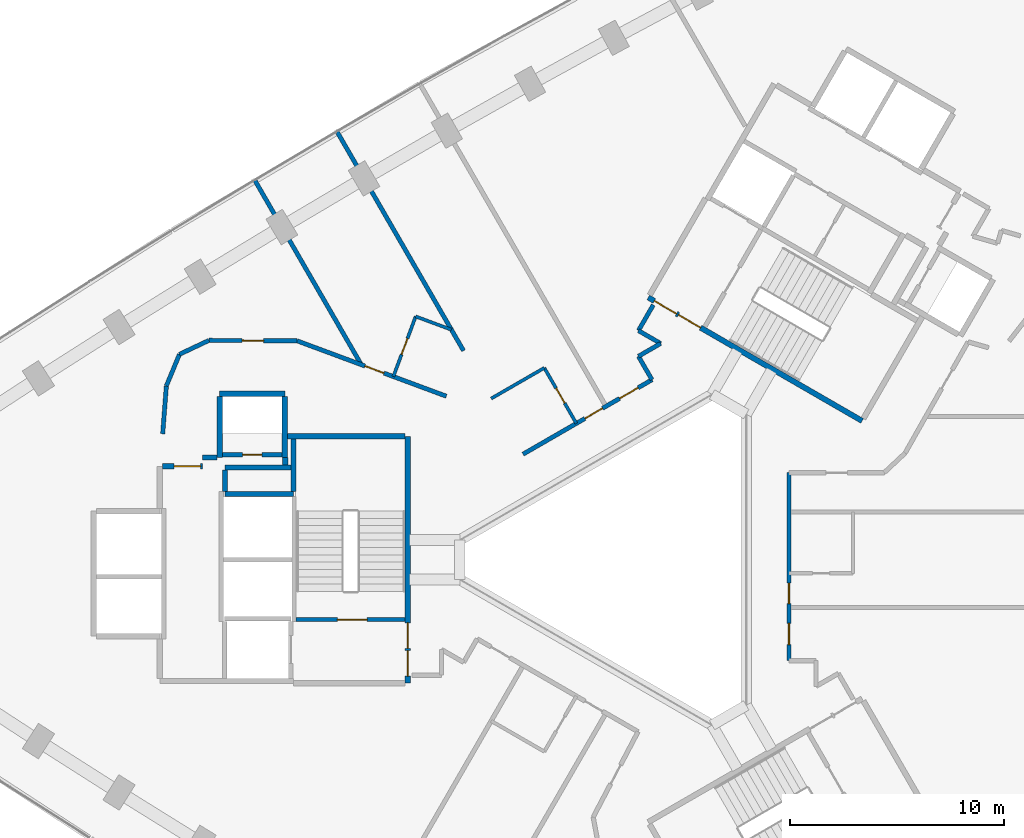
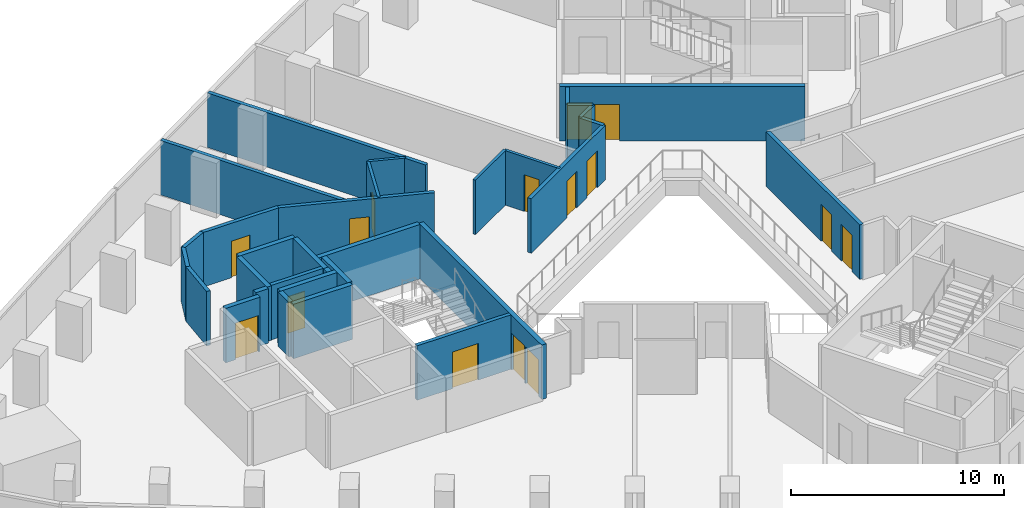
# One storey, part 10 of 13: 32 walls, 15 doors, 15 openings.
"""IFC4 building model written with IfcOpenShell, lengths in metres."""

from ifc_helpers import new_model, si_unit, direction, frame, frame_2d, origin, place, context, subcontext, project, spatial, rectangle, extrude, material, layer, layer_set, type_object, element, fill, save


model = new_model("IFC4")

# Units and contexts
model_context = context("Model", 3, precision=1e-05, world=origin(), true_north=direction((0.0, 1.0)))
body_context = subcontext(model_context, "Body", "Model", "MODEL_VIEW")
ifc_project = project(units=[si_unit("LENGTHUNIT", "METRE"), si_unit("AREAUNIT", "SQUARE_METRE"), si_unit("VOLUMEUNIT", "CUBIC_METRE"), si_unit("PLANEANGLEUNIT", "RADIAN"), si_unit("MASSUNIT", "GRAM", prefix="KILO")], contexts=[model_context])

# Site, building, storey
site_placement = place(None, origin())
site = spatial("IfcSite", under=ifc_project, at=site_placement, CompositionType="ELEMENT")
building_placement = place(site_placement, origin())
building = spatial("IfcBuilding", under=site, at=building_placement, Name="Tamra Quay Hotel Tower", CompositionType="ELEMENT")
storey_placement = place(building_placement, frame((0.0, 0.0, 60.199951171875)))
storey = spatial("IfcBuildingStorey", under=building, at=storey_placement, Name="L13", CompositionType="ELEMENT", Elevation=60.199951171875)

# Wall, opening, door
ifc_material_1 = material(Name="Concrete M70", Category="concrete")
ifc_layer_1 = layer(ifc_material_1, 0.199951171875)
ifc_layer_set_1 = layer_set([ifc_layer_1], Name="Concrete M70 core wall 200")
wall_type_1 = type_object("IfcWallType", Name="Concrete M70 core wall 200", PredefinedType="SHEAR", material=ifc_layer_set_1)
wall_1_placement = place(storey_placement, frame((-10.96337890625, -2.800048828125, 0.0), z_axis=(0.0, 0.0, 1.0), x_axis=(-1.0, 0.0, 0.0)))
wall_1 = element("IfcWall", 1, at=wall_1_placement, inside=storey, type_object=wall_type_1, Name="CW2", PredefinedType="SHEAR", context=body_context, shape_type="SweptSolid", body=[
    extrude(rectangle(XDim=5.097900390625, YDim=0.199951171875, at=frame_2d((2.548828125, 0.0))), origin(), (0.0, 0.0, 1.0), 3.125),
])
opening_1_placement = place(wall_1_placement, frame((1.77392578125, 0.0, 0.0)))
opening_1 = element("IfcOpeningElement", 2, at=opening_1_placement, cuts=wall_1, Name="Opening FD2", PredefinedType="OPENING", context=body_context, shape_type="SweptSolid", body=[
    extrude(rectangle(XDim=1.39990234375, YDim=2.10009765625, at=frame_2d((0.699951171875, 1.050048828125))), frame((0.0, 0.10986328125, 0.0), z_axis=(0.0, -1.0, 0.0), x_axis=(1.0, 0.0, 0.0)), (0.0, 0.0, 1.0), 0.219970703125),
])
ifc_material_2 = material(Name="Core door FD2 1400x2100 LH")
door_type_1 = type_object("IfcDoorType", Name="Core door FD2 1400x2100 LH", OperationType="NOTDEFINED", PredefinedType="DOOR", material=ifc_material_2)
door_1_placement = place(opening_1_placement, origin())
door_1 = element("IfcDoor", 3, at=door_1_placement, inside=storey, type_object=door_type_1, Name="FD2", OperationType="SINGLE_SWING_LEFT", OverallHeight=2.10009765625, OverallWidth=1.39990234375, PredefinedType="DOOR", context=body_context, shape_type="SweptSolid", body=[
    extrude(rectangle(XDim=1.39990234375, YDim=2.10009765625, at=frame_2d((0.699951171875, 1.050048828125))), frame((0.0, 0.02490234375, 0.0), z_axis=(0.0, -1.0, 0.0), x_axis=(1.0, 0.0, 0.0)), (0.0, 0.0, 1.0), 0.050048828125),
])
fill(opening_1, door_1)

wall_2_placement = place(storey_placement, frame((-19.51123046875, 4.91015625, 0.0), z_axis=(0.0, 0.0, 1.0), x_axis=(1.0, 0.0, 0.0)))
wall_2 = element("IfcWall", 4, at=wall_2_placement, inside=storey, type_object=wall_type_1, Name="CW2", PredefinedType="SHEAR", context=body_context, shape_type="SweptSolid", body=[
    extrude(rectangle(XDim=2.7978515625, YDim=0.199951171875, at=frame_2d((1.39892578125, 0.0))), origin(), (0.0, 0.0, 1.0), 3.125),
])
opening_2_placement = place(wall_2_placement, frame((0.948974609375, 0.0, 0.0)))
opening_2 = element("IfcOpeningElement", 5, at=opening_2_placement, cuts=wall_2, Name="Opening D1", PredefinedType="OPENING", context=body_context, shape_type="SweptSolid", body=[
    extrude(rectangle(XDim=0.89990234375, YDim=2.10009765625, at=frame_2d((0.449951171875, 1.050048828125))), frame((0.0, 0.10986328125, 0.0), z_axis=(0.0, -1.0, 0.0), x_axis=(1.0, 0.0, 0.0)), (0.0, 0.0, 1.0), 0.219970703125),
])
ifc_material_3 = material(Name="Core door D1 900x2100 RH")
door_type_2 = type_object("IfcDoorType", Name="Core door D1 900x2100 RH", OperationType="NOTDEFINED", PredefinedType="DOOR", material=ifc_material_3)
door_2_placement = place(opening_2_placement, origin())
door_2 = element("IfcDoor", 6, at=door_2_placement, inside=storey, type_object=door_type_2, Name="D1", OperationType="SINGLE_SWING_RIGHT", OverallHeight=2.10009765625, OverallWidth=0.89990234375, PredefinedType="DOOR", context=body_context, shape_type="SweptSolid", body=[
    extrude(rectangle(XDim=0.89990234375, YDim=2.10009765625, at=frame_2d((0.449951171875, 1.050048828125))), frame((0.0, 0.02490234375, 0.0), z_axis=(0.0, -1.0, 0.0), x_axis=(1.0, 0.0, 0.0)), (0.0, 0.0, 1.0), 0.050048828125),
])
fill(opening_2, door_2)

# Wall, openings, doors
ifc_layer_2 = layer(ifc_material_1, 0.25)
ifc_layer_set_2 = layer_set([ifc_layer_2], Name="Concrete M70 core wall 250")
wall_type_2 = type_object("IfcWallType", Name="Concrete M70 core wall 250", PredefinedType="SHEAR", material=ifc_layer_set_2)
wall_3_placement = place(storey_placement, frame((-10.83740234375, 5.77490234375, 0.0), z_axis=(0.0, 0.0, 1.0), x_axis=(0.0, -1.0, 0.0)))
wall_3 = element("IfcWall", 7, at=wall_3_placement, inside=storey, type_object=wall_type_2, Name="CW1", PredefinedType="SHEAR", context=body_context, shape_type="SweptSolid", body=[
    extrude(rectangle(XDim=11.5498046875, YDim=0.25, at=frame_2d((5.77490234375, 0.0))), origin(), (0.0, 0.0, 1.0), 3.125),
])
opening_3_placement = place(wall_3_placement, frame((10.02490234375, 0.0, 0.0)))
opening_3 = element("IfcOpeningElement", 8, at=opening_3_placement, cuts=wall_3, Name="Opening FD1", PredefinedType="OPENING", context=body_context, shape_type="SweptSolid", body=[
    extrude(rectangle(XDim=1.199951171875, YDim=2.10009765625, at=frame_2d((0.60009765625, 1.050048828125))), frame((0.0, 0.135009765625, 0.0), z_axis=(0.0, -1.0, 0.0), x_axis=(1.0, 0.0, 0.0)), (0.0, 0.0, 1.0), 0.27001953125),
])
opening_4_placement = place(wall_3_placement, frame((8.72509765625, 0.0, 0.0)))
opening_4 = element("IfcOpeningElement", 9, at=opening_4_placement, cuts=wall_3, Name="Opening FD1", PredefinedType="OPENING", context=body_context, shape_type="SweptSolid", body=[
    extrude(rectangle(XDim=1.199951171875, YDim=2.10009765625, at=frame_2d((0.60009765625, 1.050048828125))), frame((0.0, 0.135009765625, 0.0), z_axis=(0.0, -1.0, 0.0), x_axis=(1.0, 0.0, 0.0)), (0.0, 0.0, 1.0), 0.27001953125),
])
ifc_material_4 = material(Name="Core door FD1 1200x2100 LH")
door_type_3 = type_object("IfcDoorType", Name="Core door FD1 1200x2100 LH", OperationType="NOTDEFINED", PredefinedType="DOOR", material=ifc_material_4)
door_3_placement = place(opening_3_placement, origin())
door_3 = element("IfcDoor", 10, at=door_3_placement, inside=storey, type_object=door_type_3, Name="FD1", OperationType="SINGLE_SWING_LEFT", OverallHeight=2.10009765625, OverallWidth=1.199951171875, PredefinedType="DOOR", context=body_context, shape_type="SweptSolid", body=[
    extrude(rectangle(XDim=1.199951171875, YDim=2.10009765625, at=frame_2d((0.60009765625, 1.050048828125))), frame((0.0, 0.02490234375, 0.0), z_axis=(0.0, -1.0, 0.0), x_axis=(1.0, 0.0, 0.0)), (0.0, 0.0, 1.0), 0.050048828125),
])
fill(opening_3, door_3)
ifc_material_5 = material(Name="Core door FD1 1200x2100 RH")
door_type_4 = type_object("IfcDoorType", Name="Core door FD1 1200x2100 RH", OperationType="NOTDEFINED", PredefinedType="DOOR", material=ifc_material_5)
door_4_placement = place(opening_4_placement, origin())
door_4 = element("IfcDoor", 11, at=door_4_placement, inside=storey, type_object=door_type_4, Name="FD1", OperationType="SINGLE_SWING_RIGHT", OverallHeight=2.10009765625, OverallWidth=1.199951171875, PredefinedType="DOOR", context=body_context, shape_type="SweptSolid", body=[
    extrude(rectangle(XDim=1.199951171875, YDim=2.10009765625, at=frame_2d((0.60009765625, 1.050048828125))), frame((0.0, 0.02490234375, 0.0), z_axis=(0.0, -1.0, 0.0), x_axis=(1.0, 0.0, 0.0)), (0.0, 0.0, 1.0), 0.050048828125),
])
fill(opening_4, door_4)

# Walls
wall_4_placement = place(storey_placement, frame((-16.47216796875, 5.77490234375, 0.0), z_axis=(0.0, 0.0, 1.0), x_axis=(1.0, 0.0, 0.0)))
element("IfcWall", 12, at=wall_4_placement, inside=storey, type_object=wall_type_2, Name="CW1", PredefinedType="SHEAR", context=body_context, shape_type="SweptSolid", body=[
    extrude(rectangle(XDim=5.509521484375, YDim=0.25, at=frame_2d((2.7548828125, 0.0))), origin(), (0.0, 0.0, 1.0), 3.125),
])
wall_5_placement = place(storey_placement, frame((-19.38720703125, 3.074951171875, 0.0), z_axis=(0.0, 0.0, 1.0), x_axis=(1.0, 0.0, 0.0)))
element("IfcWall", 13, at=wall_5_placement, inside=storey, type_object=wall_type_2, Name="CW1", PredefinedType="SHEAR", context=body_context, shape_type="SweptSolid", body=[
    extrude(rectangle(XDim=3.199951171875, YDim=0.25, at=frame_2d((1.60009765625, 0.0))), origin(), (0.0, 0.0, 1.0), 3.125),
])
wall_6_placement = place(storey_placement, frame((-19.63720703125, 7.77490234375, 0.0), z_axis=(0.0, 0.0, 1.0), x_axis=(1.0, 0.0, 0.0)))
element("IfcWall", 14, at=wall_6_placement, inside=storey, type_object=wall_type_2, Name="CW1", PredefinedType="SHEAR", context=body_context, shape_type="SweptSolid", body=[
    extrude(rectangle(XDim=3.0498046875, YDim=0.25, at=frame_2d((1.52490234375, 0.0))), origin(), (0.0, 0.0, 1.0), 3.125),
])
for number, where, z_axis, x_axis, name in (
    (15, (-16.58740234375, 7.649658203125, 0.0), (0.0, 0.0, 1.0), (0.0, -1.0, 0.0), "CW1"),
    (16, (-19.63720703125, 4.784912109375, 0.0), (0.0, 0.0, 1.0), (0.0, 1.0, 0.0), "CW1"),
):
    element("IfcWall", number, at=place(storey_placement, frame(where, z_axis=z_axis, x_axis=x_axis)), inside=storey, type_object=wall_type_2, Name=name, PredefinedType="SHEAR", context=body_context, shape_type="SweptSolid", body=[
        extrude(rectangle(XDim=2.86474609375, YDim=0.25, at=frame_2d((1.432373046875, 0.0))), origin(), (0.0, 0.0, 1.0), 3.125),
    ])
wall_7_placement = place(storey_placement, frame((-16.30224609375, 4.31494140625, 0.0), z_axis=(0.0, 0.0, 1.0), x_axis=(-1.0, 0.0, 0.0)))
element("IfcWall", 17, at=wall_7_placement, inside=storey, type_object=wall_type_2, Name="CW1", PredefinedType="SHEAR", context=body_context, shape_type="SweptSolid", body=[
    extrude(rectangle(XDim=3.0849609375, YDim=0.25, at=frame_2d((1.54248046875, 0.0))), origin(), (0.0, 0.0, 1.0), 3.125),
])
wall_8_placement = place(storey_placement, frame((-16.187255859375, 3.200439453125, 0.0), z_axis=(0.0, 0.0, 1.0), x_axis=(0.0, 1.0, 0.0)))
element("IfcWall", 18, at=wall_8_placement, inside=storey, type_object=wall_type_2, Name="CW1", PredefinedType="SHEAR", context=body_context, shape_type="SweptSolid", body=[
    extrude(rectangle(XDim=2.44921875, YDim=0.25, at=frame_2d((1.224609375, 0.0))), origin(), (0.0, 0.0, 1.0), 3.125),
])

# Wall, opening, door
wall_9_placement = place(storey_placement, frame((-22.311767578125, 4.375, 0.0), z_axis=(0.0, 0.0, 1.0), x_axis=(1.0, 0.0, 0.0)))
wall_9 = element("IfcWall", 19, at=wall_9_placement, inside=storey, type_object=wall_type_2, Name="CW1", PredefinedType="SHEAR", context=body_context, shape_type="SweptSolid", body=[
    extrude(rectangle(XDim=1.864501953125, YDim=0.25, at=frame_2d((0.93212890625, 0.0))), origin(), (0.0, 0.0, 1.0), 3.125),
])
opening_5_placement = place(wall_9_placement, frame((0.53466796875, 0.0, 0.0)))
opening_5 = element("IfcOpeningElement", 20, at=opening_5_placement, cuts=wall_9, Name="Opening FD3", PredefinedType="OPENING", context=body_context, shape_type="SweptSolid", body=[
    extrude(rectangle(XDim=1.25, YDim=2.10009765625, at=frame_2d((0.625, 1.050048828125))), frame((0.0, 0.135009765625, 0.0), z_axis=(0.0, -1.0, 0.0), x_axis=(1.0, 0.0, 0.0)), (0.0, 0.0, 1.0), 0.27001953125),
])
ifc_material_6 = material(Name="Core door FD3 1250x2100 LH")
door_type_5 = type_object("IfcDoorType", Name="Core door FD3 1250x2100 LH", OperationType="NOTDEFINED", PredefinedType="DOOR", material=ifc_material_6)
door_5_placement = place(opening_5_placement, origin())
door_5 = element("IfcDoor", 21, at=door_5_placement, inside=storey, type_object=door_type_5, Name="FD3", OperationType="SINGLE_SWING_LEFT", OverallHeight=2.10009765625, OverallWidth=1.25, PredefinedType="DOOR", context=body_context, shape_type="SweptSolid", body=[
    extrude(rectangle(XDim=1.25, YDim=2.10009765625, at=frame_2d((0.625, 1.050048828125))), frame((0.0, 0.02490234375, 0.0), z_axis=(0.0, -1.0, 0.0), x_axis=(1.0, 0.0, 0.0)), (0.0, 0.0, 1.0), 0.050048828125),
])
fill(opening_5, door_5)

# Walls
wall_10_placement = place(storey_placement, frame((-19.38720703125, 4.189697265625, 0.0), z_axis=(0.0, 0.0, 1.0), x_axis=(0.0, -1.0, 0.0)))
element("IfcWall", 22, at=wall_10_placement, inside=storey, type_object=wall_type_2, Name="CW1", PredefinedType="SHEAR", context=body_context, shape_type="SweptSolid", body=[
    extrude(rectangle(XDim=0.9892578125, YDim=0.25, at=frame_2d((0.49462890625, 0.0))), origin(), (0.0, 0.0, 1.0), 3.125),
])
wall_11_placement = place(storey_placement, frame((-20.447265625, 4.784912109375, 0.0), z_axis=(0.0, 0.0, 1.0), x_axis=(1.0, 0.0, 0.0)))
element("IfcWall", 23, at=wall_11_placement, inside=storey, type_object=wall_type_2, Name="CW1", PredefinedType="SHEAR", context=body_context, shape_type="SweptSolid", body=[
    extrude(rectangle(XDim=0.6845703125, YDim=0.25, at=frame_2d((0.34228515625, 0.0))), origin(), (0.0, 0.0, 1.0), 3.125),
])
wall_12_placement = place(storey_placement, frame((-16.577392578125, 4.784912109375, 0.0), z_axis=(0.0, 0.0, 1.0), x_axis=(0.0, -1.0, 0.0)))
element("IfcWall", 24, at=wall_12_placement, inside=storey, type_object=wall_type_2, Name="CW1", PredefinedType="SHEAR", context=body_context, shape_type="SweptSolid", body=[
    extrude(rectangle(XDim=0.344482421875, YDim=0.25, at=frame_2d((0.17236328125, 0.0))), origin(), (0.0, 0.0, 1.0), 3.125),
])

# Wall, openings, doors
wall_13_placement = place(storey_placement, frame((10.419921875, 6.497802734375, 0.0), z_axis=(0.0, 0.0, 1.0), x_axis=(-0.866021906294, 0.500006057782, 0.0)))
wall_13 = element("IfcWall", 25, at=wall_13_placement, inside=storey, type_object=wall_type_2, Name="CW1", PredefinedType="SHEAR", context=body_context, shape_type="SweptSolid", body=[
    extrude(rectangle(XDim=11.550048828125, YDim=0.25, at=frame_2d((5.77490234375, 0.0))), origin(), (0.0, 0.0, 1.0), 3.125),
])
opening_6_placement = place(wall_13_placement, frame((10.02490234375, 0.0, 0.0)))
opening_6 = element("IfcOpeningElement", 26, at=opening_6_placement, cuts=wall_13, Name="Opening FD1", PredefinedType="OPENING", context=body_context, shape_type="SweptSolid", body=[
    extrude(rectangle(XDim=1.199951171875, YDim=2.10009765625, at=frame_2d((0.60009765625, 1.050048828125))), frame((0.0, 0.135009765625, 0.0), z_axis=(0.0, -1.0, 0.0), x_axis=(1.0, 0.0, 0.0)), (0.0, 0.0, 1.0), 0.27001953125),
])
opening_7_placement = place(wall_13_placement, frame((8.724853515625, 0.0, 0.0)))
opening_7 = element("IfcOpeningElement", 27, at=opening_7_placement, cuts=wall_13, Name="Opening FD1", PredefinedType="OPENING", context=body_context, shape_type="SweptSolid", body=[
    extrude(rectangle(XDim=1.199951171875, YDim=2.10009765625, at=frame_2d((0.60009765625, 1.050048828125))), frame((0.0, 0.135009765625, 0.0), z_axis=(0.0, -1.0, 0.0), x_axis=(1.0, 0.0, 0.0)), (0.0, 0.0, 1.0), 0.27001953125),
])
door_6_placement = place(opening_6_placement, origin())
door_6 = element("IfcDoor", 28, at=door_6_placement, inside=storey, type_object=door_type_3, Name="FD1", OperationType="SINGLE_SWING_LEFT", OverallHeight=2.10009765625, OverallWidth=1.199951171875, PredefinedType="DOOR", context=body_context, shape_type="SweptSolid", body=[
    extrude(rectangle(XDim=1.199951171875, YDim=2.10009765625, at=frame_2d((0.60009765625, 1.050048828125))), frame((0.0, 0.02490234375, 0.0), z_axis=(0.0, -1.0, 0.0), x_axis=(1.0, 0.0, 0.0)), (0.0, 0.0, 1.0), 0.050048828125),
])
fill(opening_6, door_6)
door_7_placement = place(opening_7_placement, origin())
door_7 = element("IfcDoor", 29, at=door_7_placement, inside=storey, type_object=door_type_4, Name="FD1", OperationType="SINGLE_SWING_RIGHT", OverallHeight=2.10009765625, OverallWidth=1.199951171875, PredefinedType="DOOR", context=body_context, shape_type="SweptSolid", body=[
    extrude(rectangle(XDim=1.199951171875, YDim=2.10009765625, at=frame_2d((0.60009765625, 1.050048828125))), frame((0.0, 0.02490234375, 0.0), z_axis=(0.0, -1.0, 0.0), x_axis=(1.0, 0.0, 0.0)), (0.0, 0.0, 1.0), 0.050048828125),
])
fill(opening_7, door_7)

# Walls
ifc_material_7 = material(Name="Partition corridor wall")
ifc_layer_3 = layer(ifc_material_7, 0.199951171875)
ifc_layer_set_3 = layer_set([ifc_layer_3], Name="Partition corridor wall")
wall_type_3 = type_object("IfcWallType", Name="Partition corridor wall", PredefinedType="PARTITIONING", material=ifc_layer_set_3)
wall_14_placement = place(storey_placement, frame((-22.305908203125, 5.89501953125, 0.0), z_axis=(0.0, 0.0, 1.0), x_axis=(0.076246699626, 0.997088983389, 0.0)))
element("IfcWall", 30, at=wall_14_placement, inside=storey, type_object=wall_type_3, Name="W-C", PredefinedType="PARTITIONING", context=body_context, shape_type="SweptSolid", body=[
    extrude(rectangle(XDim=2.241455078125, YDim=0.199951171875, at=frame_2d((1.12060546875, 0.0))), origin(), (0.0, 0.0, 1.0), 3.125),
])
wall_15_placement = place(storey_placement, frame((-22.135009765625, 8.134033203125, 0.0), z_axis=(0.0, 0.0, 1.0), x_axis=(0.383208453534, 0.923661886807, 0.0)))
element("IfcWall", 31, at=wall_15_placement, inside=storey, type_object=wall_type_3, Name="W-C", PredefinedType="PARTITIONING", context=body_context, shape_type="SweptSolid", body=[
    extrude(rectangle(XDim=1.602294921875, YDim=0.199951171875, at=frame_2d((0.80126953125, 0.0))), origin(), (0.0, 0.0, 1.0), 3.125),
])
wall_16_placement = place(storey_placement, frame((-21.52099609375, 9.614013671875, 0.0), z_axis=(0.0, 0.0, 1.0), x_axis=(0.904083527367, 0.427355795028, 0.0)))
element("IfcWall", 32, at=wall_16_placement, inside=storey, type_object=wall_type_3, Name="W-C", PredefinedType="PARTITIONING", context=body_context, shape_type="SweptSolid", body=[
    extrude(rectangle(XDim=1.52294921875, YDim=0.199951171875, at=frame_2d((0.761474609375, 0.0))), origin(), (0.0, 0.0, 1.0), 3.125),
])

# Wall, opening, door
wall_17_placement = place(storey_placement, frame((-20.14306640625, 10.26611328125, 0.0), z_axis=(0.0, 0.0, 1.0), x_axis=(0.999989297417, -0.004626559416, 0.0)))
wall_17 = element("IfcWall", 33, at=wall_17_placement, inside=storey, type_object=wall_type_3, Name="W-C", PredefinedType="PARTITIONING", context=body_context, shape_type="SweptSolid", body=[
    extrude(rectangle(XDim=4.115966796875, YDim=0.199951171875, at=frame_2d((2.05810546875, 0.0))), origin(), (0.0, 0.0, 1.0), 3.125),
])
opening_8_placement = place(wall_17_placement, frame((1.55810546875, 0.0, 0.0)))
opening_8 = element("IfcOpeningElement", 34, at=opening_8_placement, cuts=wall_17, Name="Opening L13-D011", PredefinedType="OPENING", context=body_context, shape_type="SweptSolid", body=[
    extrude(rectangle(XDim=1.0, YDim=2.10009765625, at=frame_2d((0.5, 1.050048828125))), frame((0.0, 0.10986328125, 0.0), z_axis=(0.0, -1.0, 0.0), x_axis=(1.0, 0.0, 0.0)), (0.0, 0.0, 1.0), 0.219970703125),
])
ifc_material_8 = material(Name="Door guest room 1000x2100")
door_type_6 = type_object("IfcDoorType", Name="Door guest room 1000x2100", OperationType="NOTDEFINED", PredefinedType="DOOR", material=ifc_material_8)
door_8_placement = place(opening_8_placement, origin())
door_8 = element("IfcDoor", 35, at=door_8_placement, inside=storey, type_object=door_type_6, Name="L13-D011", OperationType="SINGLE_SWING_LEFT", OverallHeight=2.10009765625, OverallWidth=1.0, PredefinedType="DOOR", context=body_context, shape_type="SweptSolid", body=[
    extrude(rectangle(XDim=1.0, YDim=2.10009765625, at=frame_2d((0.5, 1.050048828125))), frame((0.0, 0.02490234375, 0.0), z_axis=(0.0, -1.0, 0.0), x_axis=(1.0, 0.0, 0.0)), (0.0, 0.0, 1.0), 0.050048828125),
])
fill(opening_8, door_8)

wall_18_placement = place(storey_placement, frame((-16.02587890625, 10.24658203125, 0.0), z_axis=(0.0, 0.0, 1.0), x_axis=(0.937540909117, -0.347875040397, 0.0)))
wall_18 = element("IfcWall", 36, at=wall_18_placement, inside=storey, type_object=wall_type_3, Name="W-C", PredefinedType="PARTITIONING", context=body_context, shape_type="SweptSolid", body=[
    extrude(rectangle(XDim=7.458740234375, YDim=0.199951171875, at=frame_2d((3.7294921875, 0.0))), origin(), (0.0, 0.0, 1.0), 3.125),
])
opening_9_placement = place(wall_18_placement, frame((3.3955078125, 0.0, 0.0)))
opening_9 = element("IfcOpeningElement", 37, at=opening_9_placement, cuts=wall_18, Name="Opening L13-D009", PredefinedType="OPENING", context=body_context, shape_type="SweptSolid", body=[
    extrude(rectangle(XDim=0.949951171875, YDim=2.10009765625, at=frame_2d((0.47509765625, 1.050048828125))), frame((0.0, 0.10986328125, 0.0), z_axis=(0.0, -1.0, 0.0), x_axis=(1.0, 0.0, 0.0)), (0.0, 0.0, 1.0), 0.219970703125),
])
ifc_material_9 = material(Name="Door guest room 950x2100")
door_type_7 = type_object("IfcDoorType", Name="Door guest room 950x2100", OperationType="NOTDEFINED", PredefinedType="DOOR", material=ifc_material_9)
door_9_placement = place(opening_9_placement, origin())
door_9 = element("IfcDoor", 38, at=door_9_placement, inside=storey, type_object=door_type_7, Name="L13-D009", OperationType="SINGLE_SWING_LEFT", OverallHeight=2.10009765625, OverallWidth=0.949951171875, PredefinedType="DOOR", context=body_context, shape_type="SweptSolid", body=[
    extrude(rectangle(XDim=0.949951171875, YDim=2.10009765625, at=frame_2d((0.47509765625, 1.050048828125))), frame((0.0, 0.02490234375, 0.0), z_axis=(0.0, -1.0, 0.0), x_axis=(1.0, 0.0, 0.0)), (0.0, 0.0, 1.0), 0.050048828125),
])
fill(opening_9, door_9)

# Wall, openings, doors
wall_19_placement = place(storey_placement, frame((-5.4462890625, 4.939697265625, 0.0), z_axis=(0.0, 0.0, 1.0), x_axis=(0.866096332545, 0.499877127655, 0.0)))
wall_19 = element("IfcWall", 39, at=wall_19_placement, inside=storey, type_object=wall_type_3, Name="W-C", PredefinedType="PARTITIONING", context=body_context, shape_type="SweptSolid", body=[
    extrude(rectangle(XDim=6.968505859375, YDim=0.199951171875, at=frame_2d((3.484375, 0.0))), origin(), (0.0, 0.0, 1.0), 3.125),
])
opening_10_placement = place(wall_19_placement, frame((5.21923828125, 0.0, 0.0)))
opening_10 = element("IfcOpeningElement", 40, at=opening_10_placement, cuts=wall_19, Name="Opening L13-D006", PredefinedType="OPENING", context=body_context, shape_type="SweptSolid", body=[
    extrude(rectangle(XDim=1.0, YDim=2.10009765625, at=frame_2d((0.5, 1.050048828125))), frame((0.0, 0.10986328125, 0.0), z_axis=(0.0, -1.0, 0.0), x_axis=(1.0, 0.0, 0.0)), (0.0, 0.0, 1.0), 0.219970703125),
])
opening_11_placement = place(wall_19_placement, frame((3.343994140625, 0.0, 0.0)))
opening_11 = element("IfcOpeningElement", 41, at=opening_11_placement, cuts=wall_19, Name="Opening L13-D007", PredefinedType="OPENING", context=body_context, shape_type="SweptSolid", body=[
    extrude(rectangle(XDim=0.949951171875, YDim=2.10009765625, at=frame_2d((0.47509765625, 1.050048828125))), frame((0.0, 0.10986328125, 0.0), z_axis=(0.0, -1.0, 0.0), x_axis=(1.0, 0.0, 0.0)), (0.0, 0.0, 1.0), 0.219970703125),
])
door_10_placement = place(opening_10_placement, origin())
door_10 = element("IfcDoor", 42, at=door_10_placement, inside=storey, type_object=door_type_6, Name="L13-D006", OperationType="SINGLE_SWING_LEFT", OverallHeight=2.10009765625, OverallWidth=1.0, PredefinedType="DOOR", context=body_context, shape_type="SweptSolid", body=[
    extrude(rectangle(XDim=1.0, YDim=2.10009765625, at=frame_2d((0.5, 1.050048828125))), frame((0.0, 0.02490234375, 0.0), z_axis=(0.0, -1.0, 0.0), x_axis=(1.0, 0.0, 0.0)), (0.0, 0.0, 1.0), 0.050048828125),
])
fill(opening_10, door_10)
door_11_placement = place(opening_11_placement, origin())
door_11 = element("IfcDoor", 43, at=door_11_placement, inside=storey, type_object=door_type_7, Name="L13-D007", OperationType="SINGLE_SWING_LEFT", OverallHeight=2.10009765625, OverallWidth=0.949951171875, PredefinedType="DOOR", context=body_context, shape_type="SweptSolid", body=[
    extrude(rectangle(XDim=0.949951171875, YDim=2.10009765625, at=frame_2d((0.47509765625, 1.050048828125))), frame((0.0, 0.02490234375, 0.0), z_axis=(0.0, -1.0, 0.0), x_axis=(1.0, 0.0, 0.0)), (0.0, 0.0, 1.0), 0.050048828125),
])
fill(opening_11, door_11)

# Walls
wall_20_placement = place(storey_placement, frame((-0.044921875, 9.52197265625, 0.0), z_axis=(0.0, 0.0, 1.0), x_axis=(0.86625675314, 0.499599076899, 0.0)))
element("IfcWall", 44, at=wall_20_placement, inside=storey, type_object=wall_type_3, Name="W-C", PredefinedType="PARTITIONING", context=body_context, shape_type="SweptSolid", body=[
    extrude(rectangle(XDim=1.19921875, YDim=0.199951171875, at=frame_2d((0.599609375, 0.0))), origin(), (0.0, 0.0, 1.0), 3.125),
])
wall_21_placement = place(storey_placement, frame((-0.044921875, 10.721923828125, 0.0), z_axis=(0.0, 0.0, 1.0), x_axis=(0.500107785535, 0.865963164833, 0.0)))
element("IfcWall", 45, at=wall_21_placement, inside=storey, type_object=wall_type_3, Name="W-C", PredefinedType="PARTITIONING", context=body_context, shape_type="SweptSolid", body=[
    extrude(rectangle(XDim=1.389404296875, YDim=0.199951171875, at=frame_2d((0.69482421875, 0.0))), origin(), (0.0, 0.0, 1.0), 3.125),
])
wall_22_placement = place(storey_placement, frame((-0.044921875, 9.52099609375, 0.0), z_axis=(0.0, 0.0, 1.0), x_axis=(0.500094716449, -0.865970712311, 0.0)))
element("IfcWall", 46, at=wall_22_placement, inside=storey, type_object=wall_type_3, Name="W-C", PredefinedType="PARTITIONING", context=body_context, shape_type="SweptSolid", body=[
    extrude(rectangle(XDim=1.267822265625, YDim=0.199951171875, at=frame_2d((0.6337890625, 0.0))), origin(), (0.0, 0.0, 1.0), 3.125),
])
wall_23_placement = place(storey_placement, frame((-0.044921875, 10.720947265625, 0.0), z_axis=(0.0, 0.0, 1.0), x_axis=(0.865992388649, -0.500057179532, 0.0)))
element("IfcWall", 47, at=wall_23_placement, inside=storey, type_object=wall_type_3, Name="W-C", PredefinedType="PARTITIONING", context=body_context, shape_type="SweptSolid", body=[
    extrude(rectangle(XDim=1.199462890625, YDim=0.199951171875, at=frame_2d((0.599609375, 0.0))), origin(), (0.0, 0.0, 1.0), 3.125),
])

# Wall, openings, doors
wall_24_placement = place(storey_placement, frame((7.0, -4.720947265625, 0.0), z_axis=(0.0, 0.0, 1.0), x_axis=(0.0, 1.0, 0.0)))
wall_24 = element("IfcWall", 48, at=wall_24_placement, inside=storey, type_object=wall_type_3, Name="W-C", PredefinedType="PARTITIONING", context=body_context, shape_type="SweptSolid", body=[
    extrude(rectangle(XDim=8.798828125, YDim=0.199951171875, at=frame_2d((4.3994140625, 0.0))), origin(), (0.0, 0.0, 1.0), 3.125),
])
opening_12_placement = place(wall_24_placement, frame((0.7490234375, 0.0, 0.0)))
opening_12 = element("IfcOpeningElement", 49, at=opening_12_placement, cuts=wall_24, Name="Opening L13-D001", PredefinedType="OPENING", context=body_context, shape_type="SweptSolid", body=[
    extrude(rectangle(XDim=1.0, YDim=2.10009765625, at=frame_2d((0.5, 1.050048828125))), frame((0.0, 0.10986328125, 0.0), z_axis=(0.0, -1.0, 0.0), x_axis=(1.0, 0.0, 0.0)), (0.0, 0.0, 1.0), 0.219970703125),
])
opening_13_placement = place(wall_24_placement, frame((2.674072265625, 0.0, 0.0)))
opening_13 = element("IfcOpeningElement", 50, at=opening_13_placement, cuts=wall_24, Name="Opening L13-D002", PredefinedType="OPENING", context=body_context, shape_type="SweptSolid", body=[
    extrude(rectangle(XDim=0.949951171875, YDim=2.10009765625, at=frame_2d((0.47509765625, 1.050048828125))), frame((0.0, 0.10986328125, 0.0), z_axis=(0.0, -1.0, 0.0), x_axis=(1.0, 0.0, 0.0)), (0.0, 0.0, 1.0), 0.219970703125),
])
door_12_placement = place(opening_12_placement, frame((1.0, 0.0, 0.0), z_axis=(0.0, 0.0, 1.0), x_axis=(-1.0, 0.0, 0.0)))
door_12 = element("IfcDoor", 51, at=door_12_placement, inside=storey, type_object=door_type_6, Name="L13-D001", OperationType="SINGLE_SWING_LEFT", OverallHeight=2.10009765625, OverallWidth=1.0, PredefinedType="DOOR", context=body_context, shape_type="SweptSolid", body=[
    extrude(rectangle(XDim=1.0, YDim=2.10009765625, at=frame_2d((0.5, 1.050048828125))), frame((0.0, 0.02490234375, 0.0), z_axis=(0.0, -1.0, 0.0), x_axis=(1.0, 0.0, 0.0)), (0.0, 0.0, 1.0), 0.050048828125),
])
fill(opening_12, door_12)
door_13_placement = place(opening_13_placement, frame((0.949951171875, 0.0, 0.0), z_axis=(0.0, 0.0, 1.0), x_axis=(-1.0, 0.0, 0.0)))
door_13 = element("IfcDoor", 52, at=door_13_placement, inside=storey, type_object=door_type_7, Name="L13-D002", OperationType="SINGLE_SWING_LEFT", OverallHeight=2.10009765625, OverallWidth=0.949951171875, PredefinedType="DOOR", context=body_context, shape_type="SweptSolid", body=[
    extrude(rectangle(XDim=0.949951171875, YDim=2.10009765625, at=frame_2d((0.47509765625, 1.050048828125))), frame((0.0, 0.02490234375, 0.0), z_axis=(0.0, -1.0, 0.0), x_axis=(1.0, 0.0, 0.0)), (0.0, 0.0, 1.0), 0.050048828125),
])
fill(opening_13, door_13)

# Wall, opening, door
ifc_material_10 = material(Name="Partition en-suite wall")
ifc_layer_4 = layer(ifc_material_10, 0.14990234375)
ifc_layer_set_4 = layer_set([ifc_layer_4], Name="Partition en-suite wall")
wall_type_4 = type_object("IfcWallType", Name="Partition en-suite wall", PredefinedType="PARTITIONING", material=ifc_layer_set_4)
wall_25_placement = place(storey_placement, frame((-11.512939453125, 8.572021484375, 0.0), z_axis=(0.0, 0.0, 1.0), x_axis=(0.347929104424, 0.937520846859, 0.0)))
wall_25 = element("IfcWall", 53, at=wall_25_placement, inside=storey, type_object=wall_type_4, Name="W-E", PredefinedType="PARTITIONING", context=body_context, shape_type="SweptSolid", body=[
    extrude(rectangle(XDim=3.00048828125, YDim=0.14990234375, at=frame_2d((1.500244140625, 0.0))), origin(), (0.0, 0.0, 1.0), 3.125),
])
opening_14_placement = place(wall_25_placement, frame((1.100341796875, 0.0, 0.0)))
opening_14 = element("IfcOpeningElement", 54, at=opening_14_placement, cuts=wall_25, Name="Opening L13-D010", PredefinedType="OPENING", context=body_context, shape_type="SweptSolid", body=[
    extrude(rectangle(XDim=0.800048828125, YDim=2.10009765625, at=frame_2d((0.39990234375, 1.050048828125))), frame((0.0, 0.0849609375, 0.0), z_axis=(0.0, -1.0, 0.0), x_axis=(1.0, 0.0, 0.0)), (0.0, 0.0, 1.0), 0.169921875),
])
ifc_material_11 = material(Name="Door en-suite 800x2100")
door_type_8 = type_object("IfcDoorType", Name="Door en-suite 800x2100", OperationType="NOTDEFINED", PredefinedType="DOOR", material=ifc_material_11)
door_14_placement = place(opening_14_placement, origin())
door_14 = element("IfcDoor", 55, at=door_14_placement, inside=storey, type_object=door_type_8, Name="L13-D010", OperationType="SINGLE_SWING_LEFT", OverallHeight=2.10009765625, OverallWidth=0.800048828125, PredefinedType="DOOR", context=body_context, shape_type="SweptSolid", body=[
    extrude(rectangle(XDim=0.800048828125, YDim=2.10009765625, at=frame_2d((0.39990234375, 1.050048828125))), frame((0.0, 0.02490234375, 0.0), z_axis=(0.0, -1.0, 0.0), x_axis=(1.0, 0.0, 0.0)), (0.0, 0.0, 1.0), 0.050048828125),
])
fill(opening_14, door_14)

# Walls
wall_26_placement = place(storey_placement, frame((-10.468994140625, 11.385009765625, 0.0), z_axis=(0.0, 0.0, 1.0), x_axis=(0.937487768635, -0.348018223173, 0.0)))
element("IfcWall", 56, at=wall_26_placement, inside=storey, type_object=wall_type_4, Name="W-E", PredefinedType="PARTITIONING", context=body_context, shape_type="SweptSolid", body=[
    extrude(rectangle(XDim=1.78466796875, YDim=0.14990234375, at=frame_2d((0.892333984375, 0.0))), origin(), (0.0, 0.0, 1.0), 3.125),
])
wall_27_placement = place(storey_placement, frame((-6.93603515625, 7.54296875, 0.0), z_axis=(0.0, 0.0, 1.0), x_axis=(0.866153027342, 0.499778884334, 0.0)))
element("IfcWall", 57, at=wall_27_placement, inside=storey, type_object=wall_type_4, Name="W-E", PredefinedType="PARTITIONING", context=body_context, shape_type="SweptSolid", body=[
    extrude(rectangle(XDim=2.871337890625, YDim=0.14990234375, at=frame_2d((1.435546875, 0.0))), origin(), (0.0, 0.0, 1.0), 3.125),
])

# Wall, opening, door
wall_28_placement = place(storey_placement, frame((-4.448974609375, 8.97802734375, 0.0), z_axis=(0.0, 0.0, 1.0), x_axis=(0.499745940409, -0.866172035478, 0.0)))
wall_28 = element("IfcWall", 58, at=wall_28_placement, inside=storey, type_object=wall_type_4, Name="W-E", PredefinedType="PARTITIONING", context=body_context, shape_type="SweptSolid", body=[
    extrude(rectangle(XDim=2.99951171875, YDim=0.14990234375, at=frame_2d((1.499755859375, 0.0))), origin(), (0.0, 0.0, 1.0), 3.125),
])
opening_15_placement = place(wall_28_placement, frame((1.099609375, 0.0, 0.0)))
opening_15 = element("IfcOpeningElement", 59, at=opening_15_placement, cuts=wall_28, Name="Opening L13-D008", PredefinedType="OPENING", context=body_context, shape_type="SweptSolid", body=[
    extrude(rectangle(XDim=0.800048828125, YDim=2.10009765625, at=frame_2d((0.39990234375, 1.050048828125))), frame((0.0, 0.0849609375, 0.0), z_axis=(0.0, -1.0, 0.0), x_axis=(1.0, 0.0, 0.0)), (0.0, 0.0, 1.0), 0.169921875),
])
door_15_placement = place(opening_15_placement, frame((0.800048828125, 0.0, 0.0), z_axis=(0.0, 0.0, 1.0), x_axis=(-1.0, 0.0, 0.0)))
door_15 = element("IfcDoor", 60, at=door_15_placement, inside=storey, type_object=door_type_8, Name="L13-D008", OperationType="SINGLE_SWING_LEFT", OverallHeight=2.10009765625, OverallWidth=0.800048828125, PredefinedType="DOOR", context=body_context, shape_type="SweptSolid", body=[
    extrude(rectangle(XDim=0.800048828125, YDim=2.10009765625, at=frame_2d((0.39990234375, 1.050048828125))), frame((0.0, 0.02490234375, 0.0), z_axis=(0.0, -1.0, 0.0), x_axis=(1.0, 0.0, 0.0)), (0.0, 0.0, 1.0), 0.050048828125),
])
fill(opening_15, door_15)

# Walls
ifc_material_12 = material(Name="Partition party wall")
ifc_layer_5 = layer(ifc_material_12, 0.199951171875)
ifc_layer_set_5 = layer_set([ifc_layer_5], Name="Partition party wall")
wall_type_5 = type_object("IfcWallType", Name="Partition party wall", PredefinedType="PARTITIONING", material=ifc_layer_set_5)
wall_29_placement = place(storey_placement, frame((-17.99560546875, 17.758056640625, 0.0), z_axis=(0.0, 0.0, 1.0), x_axis=(0.500046945013, -0.865998298372, 0.0)))
element("IfcWall", 61, at=wall_29_placement, inside=storey, type_object=wall_type_5, Name="W-P", PredefinedType="PARTITIONING", context=body_context, shape_type="SweptSolid", body=[
    extrude(rectangle(XDim=9.96435546875, YDim=0.199951171875, at=frame_2d((4.982177734375, 0.0))), origin(), (0.0, 0.0, 1.0), 3.125),
])
wall_30_placement = place(storey_placement, frame((-14.148681640625, 20.034912109375, 0.0), z_axis=(0.0, 0.0, 1.0), x_axis=(0.500022967158, -0.866012143284, 0.0)))
element("IfcWall", 62, at=wall_30_placement, inside=storey, type_object=wall_type_5, Name="W-P", PredefinedType="PARTITIONING", context=body_context, shape_type="SweptSolid", body=[
    extrude(rectangle(XDim=11.837890625, YDim=0.199951171875, at=frame_2d((5.9189453125, 0.0))), origin(), (0.0, 0.0, 1.0), 3.125),
])

save(model, "model.ifc")
